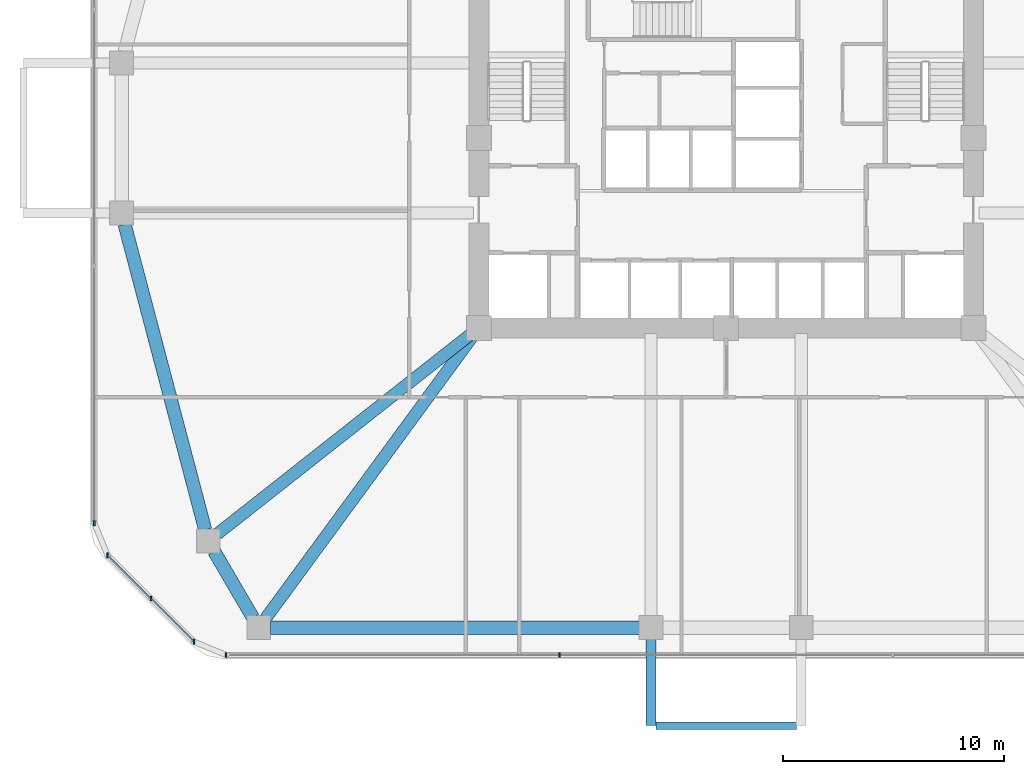
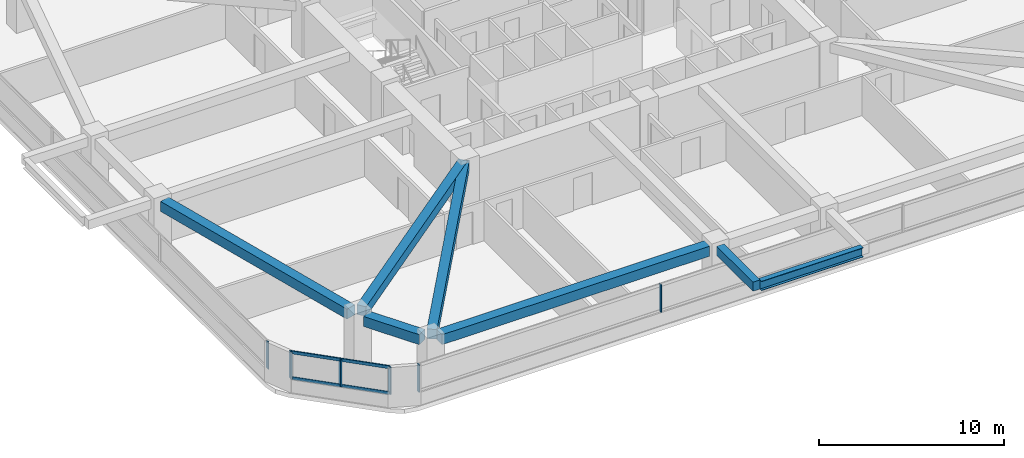
# One storey, part 2 of 14: 8 members, 7 beams, 3 elements without a shape of their own.
"""IFC4 building model written with IfcOpenShell, lengths in metres."""

from ifc_helpers import new_model, si_unit, derived_unit, direction, frame, origin, origin_2d, place, context, subcontext, project, spatial, rectangle, i_section, extrude, material, material_profile, profile_set, type_object, element, aggregate, save


model = new_model("IFC4")

# Units and contexts
model_context = context("Model", 3, precision=1e-05, world=origin(), true_north=direction((0.0, 1.0)))
body_context = subcontext(model_context, "Body", "Model", "MODEL_VIEW")
ifc_project = project(units=[si_unit("LENGTHUNIT", "METRE"), si_unit("AREAUNIT", "SQUARE_METRE"), si_unit("VOLUMEUNIT", "CUBIC_METRE"), si_unit("PLANEANGLEUNIT", "RADIAN"), si_unit("MASSUNIT", "GRAM", prefix="KILO"), derived_unit("THERMALTRANSMITTANCEUNIT", [(si_unit("POWERUNIT", "WATT"), 1), (si_unit("LENGTHUNIT", "METRE"), -2), (si_unit("THERMODYNAMICTEMPERATUREUNIT", "KELVIN"), -1)])], contexts=[model_context])

# Site, building, storey
site_placement = place(None, origin())
site = spatial("IfcSite", under=ifc_project, at=site_placement, CompositionType="ELEMENT")
building_placement = place(site_placement, origin())
building = spatial("IfcBuilding", under=site, at=building_placement, Name="Koralith Skygarden Medical Center", CompositionType="ELEMENT")
storey_placement = place(building_placement, frame((0.0, 0.0, 31.139892578125)))
storey = spatial("IfcBuildingStorey", under=building, at=storey_placement, Name="L07", CompositionType="ELEMENT", Elevation=31.139892578125)

# Curtain wall, members
ifc_material_1 = material(Name="Clear Laminated Glass", Category="glass")
curtain_wall_type = type_object("IfcCurtainWallType", Name="CW-2 Zone 1 Hurricane Unitised Curtain Wall", PredefinedType="NOTDEFINED", material=ifc_material_1)
curtain_wall_1_placement = place(storey_placement, origin())
curtain_wall_1 = element("IfcCurtainWall", 1, at=curtain_wall_1_placement, inside=storey, type_object=curtain_wall_type, Name="Curtain Wall CW-L07-S", PredefinedType="NOTDEFINED")
ifc_material_2 = material(Name="Aluminium 6063-T6", Category="aluminium")
ifc_material_profile_1 = material_profile(ifc_material_2, rectangle(XDim=0.071044921875, YDim=0.219970703125, at=origin_2d()), Name="MUL71X220")
ifc_profile_set_1 = profile_set([ifc_material_profile_1], Name="Aluminium 6063-T6")
member_type_1 = type_object("IfcMemberType", Name="CW-2 Extruded Mullion 71x220", PredefinedType="MULLION", material=ifc_profile_set_1)
member_1_placement = place(storey_placement, frame((14.35498046875, 2.47998046875, 0.85009765625), z_axis=(0.0, 0.0, 1.0), x_axis=(1.0, 0.0, 0.0)))
member_1 = element("IfcMember", 2, at=member_1_placement, type_object=member_type_1, Name="CW-L07-S Mullion 1", PredefinedType="MULLION", context=body_context, shape_type="SweptSolid", body=[
    extrude(rectangle(XDim=0.071044921875, YDim=0.219970703125, at=origin_2d()), origin(), (0.0, 0.0, 1.0), 1.800048828125),
])
member_2_placement = place(storey_placement, frame((29.451904296875, 2.47998046875, 0.85009765625), z_axis=(0.0, 0.0, 1.0), x_axis=(1.0, 0.0, 0.0)))
member_2 = element("IfcMember", 3, at=member_2_placement, type_object=member_type_1, Name="CW-L07-S Mullion 2", PredefinedType="MULLION", context=body_context, shape_type="SweptSolid", body=[
    extrude(rectangle(XDim=0.071044921875, YDim=0.219970703125, at=origin_2d()), origin(), (0.0, 0.0, 1.0), 1.800048828125),
])
aggregate(curtain_wall_1, [member_1, member_2])

# Curtain wall, member
curtain_wall_2_placement = place(storey_placement, origin())
curtain_wall_2 = element("IfcCurtainWall", 4, at=curtain_wall_2_placement, inside=storey, type_object=curtain_wall_type, Name="Curtain Wall CW-L07-W", PredefinedType="NOTDEFINED")
member_3_placement = place(storey_placement, frame((8.3798828125, 8.455078125, 0.85009765625), z_axis=(0.0, 0.0, 1.0), x_axis=(1.0, 0.0, 0.0)))
member_3 = element("IfcMember", 5, at=member_3_placement, type_object=member_type_1, Name="CW-L07-W Mullion 4", PredefinedType="MULLION", context=body_context, shape_type="SweptSolid", body=[
    extrude(rectangle(XDim=0.071044921875, YDim=0.219970703125, at=origin_2d()), origin(), (0.0, 0.0, 1.0), 1.800048828125),
])
aggregate(curtain_wall_2, [member_3])

# Curtain wall, members
curtain_wall_3_placement = place(storey_placement, origin())
curtain_wall_3 = element("IfcCurtainWall", 6, at=curtain_wall_3_placement, inside=storey, type_object=curtain_wall_type, Name="Curtain Wall CW-L07-SW", PredefinedType="NOTDEFINED")
member_4_placement = place(storey_placement, frame((8.98095703125, 7.00390625, 0.85009765625), z_axis=(0.0, 0.0, 1.0), x_axis=(1.0, 0.0, 0.0)))
member_4 = element("IfcMember", 7, at=member_4_placement, type_object=member_type_1, Name="CW-L07-SW Mullion 1", PredefinedType="MULLION", context=body_context, shape_type="SweptSolid", body=[
    extrude(rectangle(XDim=0.071044921875, YDim=0.219970703125, at=origin_2d()), origin(), (0.0, 0.0, 1.0), 1.800048828125),
])
member_5_placement = place(storey_placement, frame((10.94189453125, 5.04296875, 0.85009765625), z_axis=(0.0, 0.0, 1.0), x_axis=(1.0, 0.0, 0.0)))
member_5 = element("IfcMember", 8, at=member_5_placement, type_object=member_type_1, Name="CW-L07-SW Mullion 2", PredefinedType="MULLION", context=body_context, shape_type="SweptSolid", body=[
    extrude(rectangle(XDim=0.071044921875, YDim=0.219970703125, at=origin_2d()), origin(), (0.0, 0.0, 1.0), 1.800048828125),
])
member_6_placement = place(storey_placement, frame((12.904052734375, 3.0810546875, 0.85009765625), z_axis=(0.0, 0.0, 1.0), x_axis=(1.0, 0.0, 0.0)))
member_6 = element("IfcMember", 9, at=member_6_placement, type_object=member_type_1, Name="CW-L07-SW Mullion 3", PredefinedType="MULLION", context=body_context, shape_type="SweptSolid", body=[
    extrude(rectangle(XDim=0.071044921875, YDim=0.219970703125, at=origin_2d()), origin(), (0.0, 0.0, 1.0), 1.800048828125),
])
ifc_material_profile_2 = material_profile(ifc_material_2, rectangle(XDim=0.06591796875, YDim=0.197998046875, at=origin_2d()), Name="TRN66X198")
ifc_profile_set_2 = profile_set([ifc_material_profile_2], Name="Aluminium 6063-T6")
member_type_2 = type_object("IfcMemberType", Name="CW-2 Thermal Transom 66x198", PredefinedType="USERDEFINED", material=ifc_profile_set_2)
member_7_placement = place(storey_placement, frame((8.98095703125, 7.00390625, 0.900146484375), z_axis=(0.707128783731, -0.707084777957, 0.0), x_axis=(0.707084777957, 0.707128783731, 0.0)))
member_7 = element("IfcMember", 10, at=member_7_placement, type_object=member_type_2, Name="CW-L07-SW Transom 1", ObjectType="TRANSOM", PredefinedType="USERDEFINED", context=body_context, shape_type="SweptSolid", body=[
    extrude(rectangle(XDim=0.06591796875, YDim=0.197998046875, at=origin_2d()), origin(), (0.0, 0.0, 1.0), 5.5478515625),
])
member_8_placement = place(storey_placement, frame((8.98095703125, 7.00390625, 2.60009765625), z_axis=(0.707128783731, -0.707084777957, 0.0), x_axis=(0.707084777957, 0.707128783731, 0.0)))
member_8 = element("IfcMember", 11, at=member_8_placement, type_object=member_type_2, Name="CW-L07-SW Transom 2", ObjectType="TRANSOM", PredefinedType="USERDEFINED", context=body_context, shape_type="SweptSolid", body=[
    extrude(rectangle(XDim=0.06591796875, YDim=0.197998046875, at=origin_2d()), origin(), (0.0, 0.0, 1.0), 5.5478515625),
])
aggregate(curtain_wall_3, [member_4, member_5, member_6, member_7, member_8])

# Beams
ifc_material_3 = material(Name="Steel ASTM A992 Grade 50", Category="steel")
ifc_material_profile_3 = material_profile(ifc_material_3, i_section(OverallWidth=0.326904296875, OverallDepth=0.6220703125, WebThickness=0.015380859375, FlangeThickness=0.0244140625, at=origin_2d()), Name="W24X131")
ifc_profile_set_3 = profile_set([ifc_material_profile_3], Name="Steel ASTM A992 Grade 50")
beam_type_1 = type_object("IfcBeamType", Name="Cantilever Tie Beam W24X131", PredefinedType="BEAM", material=ifc_profile_set_3)
beam_1_placement = place(storey_placement, frame((33.820068359375, -0.719970703125, 3.029052734375), z_axis=(1.0, 0.0, 0.0), x_axis=(0.0, 1.0, 0.0)))
element("IfcBeam", 12, at=beam_1_placement, inside=storey, type_object=beam_type_1, Name="L08 S Balcony Tip Tie Beam", PredefinedType="BEAM", context=body_context, shape_type="SweptSolid", body=[
    extrude(i_section(OverallWidth=0.326904296875, OverallDepth=0.6220703125, WebThickness=0.015380859375, FlangeThickness=0.0244140625, at=origin_2d()), origin(), (0.0, 0.0, 1.0), 6.35986328125),
])
ifc_material_4 = material(Name="Concrete C45/55", Category="concrete")
ifc_material_profile_4 = material_profile(ifc_material_4, rectangle(XDim=0.449951171875, YDim=0.60009765625, at=origin_2d()), Name="RCB450X600")
ifc_profile_set_4 = profile_set([ifc_material_profile_4], Name="Concrete C45/55")
beam_type_2 = type_object("IfcBeamType", Name="Planted Balcony Cantilever Beam RCB450X600", PredefinedType="BEAM", material=ifc_profile_set_4)
beam_2_placement = place(storey_placement, frame((33.60009765625, 3.199951171875, 3.0400390625), z_axis=(0.0, -1.0, 0.0), x_axis=(1.0, 0.0, 0.0)))
element("IfcBeam", 13, at=beam_2_placement, inside=storey, type_object=beam_type_2, Name="L08 S Balcony Cantilever Beam A", PredefinedType="BEAM", context=body_context, shape_type="SweptSolid", body=[
    extrude(rectangle(XDim=0.449951171875, YDim=0.60009765625, at=origin_2d()), origin(), (0.0, 0.0, 1.0), 3.919921875),
])
ifc_material_profile_5 = material_profile(ifc_material_4, rectangle(XDim=0.550048828125, YDim=0.639892578125, at=origin_2d()), Name="RCB550X640")
ifc_profile_set_5 = profile_set([ifc_material_profile_5], Name="Concrete C45/55")
beam_type_3 = type_object("IfcBeamType", Name="Radial Collector Beam RCB550X640", PredefinedType="BEAM", material=ifc_profile_set_5)
beam_3_placement = place(storey_placement, frame((25.60400390625, 17.14501953125, 3.0), z_axis=(-0.785497250365, -0.618865146594, 0.0), x_axis=(0.618865146594, -0.785497250365, 0.0)))
element("IfcBeam", 14, at=beam_3_placement, inside=storey, type_object=beam_type_3, Name="L07 Radial Collector Beam RB-02", PredefinedType="BEAM", context=body_context, shape_type="SweptSolid", body=[
    extrude(rectangle(XDim=0.550048828125, YDim=0.639892578125, at=origin_2d()), origin(), (0.0, 0.0, 1.0), 14.828857421875),
])
beam_4_placement = place(storey_placement, frame((25.652099609375, 17.097900390625, 3.0), z_axis=(-0.591718052249, -0.806144991079, 0.0), x_axis=(0.806144991079, -0.591718052249, 0.0)))
element("IfcBeam", 15, at=beam_4_placement, inside=storey, type_object=beam_type_3, Name="L07 Radial Collector Beam RB-03", PredefinedType="BEAM", context=body_context, shape_type="SweptSolid", body=[
    extrude(rectangle(XDim=0.550048828125, YDim=0.639892578125, at=origin_2d()), origin(), (0.0, 0.0, 1.0), 16.065185546875),
])
ifc_material_profile_6 = material_profile(ifc_material_4, rectangle(XDim=0.60009765625, YDim=0.659912109375, at=origin_2d()), Name="RCB600X660")
ifc_profile_set_6 = profile_set([ifc_material_profile_6], Name="Concrete C45/55")
beam_type_4 = type_object("IfcBeamType", Name="Zone 1 Spandrel Beam RCB600X660", PredefinedType="SPANDREL", material=ifc_profile_set_6)
beam_5_placement = place(storey_placement, frame((9.7548828125, 21.988037109375, 2.989990234375), z_axis=(0.255088684842, -0.966917660851, 0.0), x_axis=(0.966917660851, 0.255088684842, 0.0)))
element("IfcBeam", 16, at=beam_5_placement, inside=storey, type_object=beam_type_4, Name="L07 Perimeter Spandrel Beam SP-01", PredefinedType="SPANDREL", context=body_context, shape_type="SweptSolid", body=[
    extrude(rectangle(XDim=0.60009765625, YDim=0.659912109375, at=origin_2d()), origin(), (0.0, 0.0, 1.0), 14.309326171875),
])
beam_6_placement = place(storey_placement, frame((13.80810546875, 7.181884765625, 2.989990234375), z_axis=(0.504638660636, -0.863330656349, 0.0), x_axis=(0.863330656349, 0.504638660636, 0.0)))
element("IfcBeam", 17, at=beam_6_placement, inside=storey, type_object=beam_type_4, Name="L07 Perimeter Spandrel Beam SP-02", PredefinedType="SPANDREL", context=body_context, shape_type="SweptSolid", body=[
    extrude(rectangle(XDim=0.60009765625, YDim=0.659912109375, at=origin_2d()), origin(), (0.0, 0.0, 1.0), 3.4794921875),
])
beam_7_placement = place(storey_placement, frame((16.362060546875, 3.719970703125, 2.989990234375), z_axis=(1.0, 0.0, 0.0), x_axis=(0.0, 1.0, 0.0)))
element("IfcBeam", 18, at=beam_7_placement, inside=storey, type_object=beam_type_4, Name="L07 Perimeter Spandrel Beam SP-03", PredefinedType="SPANDREL", context=body_context, shape_type="SweptSolid", body=[
    extrude(rectangle(XDim=0.60009765625, YDim=0.659912109375, at=origin_2d()), origin(), (0.0, 0.0, 1.0), 16.7080078125),
])

save(model, "model.ifc")
